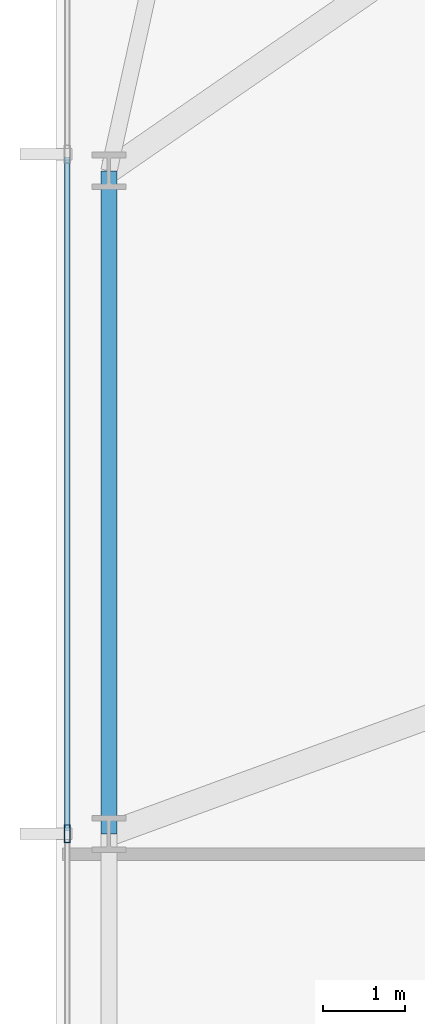
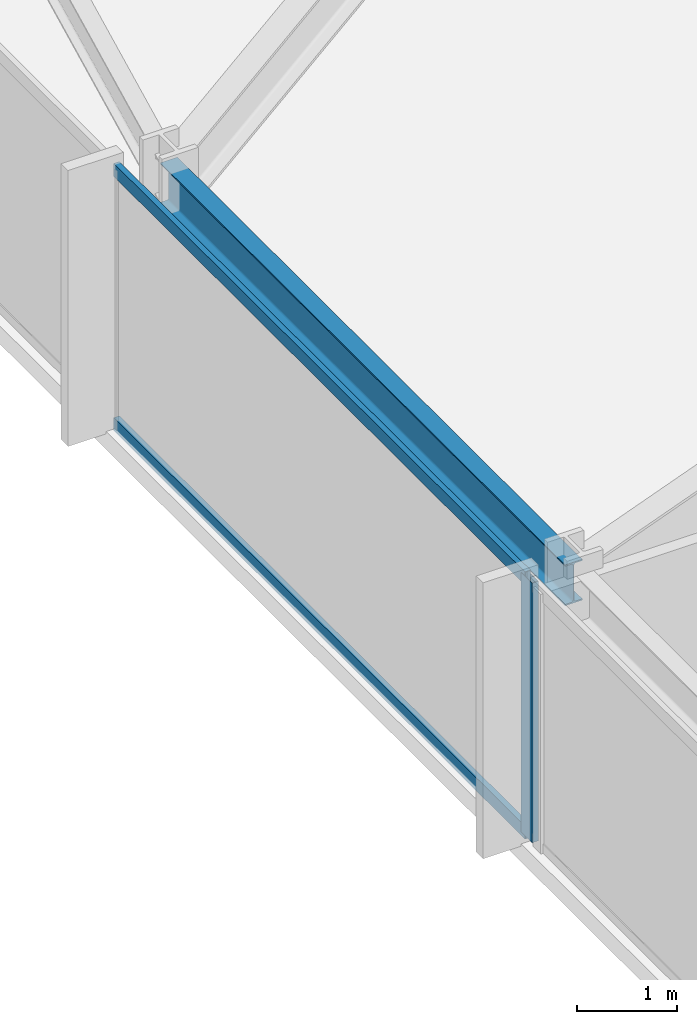
# One storey, part 7 of 33: 3 members, 1 beam, 1 element without a shape of its own.
"""IFC4 building model written with IfcOpenShell, lengths in metres."""

from ifc_helpers import new_model, si_unit, direction, frame, origin, origin_2d, place, context, subcontext, project, spatial, hollow_rectangle, i_section, extrude, material, material_profile, profile_set, type_object, element, aggregate, save


model = new_model("IFC4")

# Units and contexts
model_context = context("Model", 3, precision=1e-05, world=origin(), true_north=direction((0.0, 1.0)))
body_context = subcontext(model_context, "Body", "Model", "MODEL_VIEW")
ifc_project = project(units=[si_unit("LENGTHUNIT", "METRE"), si_unit("AREAUNIT", "SQUARE_METRE"), si_unit("VOLUMEUNIT", "CUBIC_METRE"), si_unit("PLANEANGLEUNIT", "RADIAN"), si_unit("MASSUNIT", "GRAM", prefix="KILO")], contexts=[model_context])

# Site, building, storey
site_placement = place(None, origin())
site = spatial("IfcSite", under=ifc_project, at=site_placement, CompositionType="ELEMENT")
building_placement = place(site_placement, origin())
building = spatial("IfcBuilding", under=site, at=building_placement, Name="Yelkora Congress Tower", CompositionType="ELEMENT")
storey_placement = place(building_placement, frame((0.0, 0.0, 64.39990234375)))
storey = spatial("IfcBuildingStorey", under=building, at=storey_placement, Name="L16", CompositionType="ELEMENT", Elevation=64.39990234375)

# Beam
ifc_material_1 = material(Name="Steel S355J2", Category="steel")
ifc_material_profile_1 = material_profile(ifc_material_1, i_section(OverallWidth=0.199951171875, OverallDepth=0.5, WebThickness=0.01025390625, FlangeThickness=0.01611328125, FilletRadius=0.02099609375, at=origin_2d()), Name="IPE 500")
ifc_profile_set_1 = profile_set([ifc_material_profile_1], Name="Steel S355J2")
beam_type = type_object("IfcBeamType", Name="BM-SPAN-IPE500", PredefinedType="SPANDREL", material=ifc_profile_set_1)
beam_placement = place(storey_placement, frame((6.64990234375, 37.52490234375, 2.93017578125), z_axis=(0.0, -1.0, 0.0), x_axis=(1.0, 0.0, 0.0)))
element("IfcBeam", 1, at=beam_placement, inside=storey, type_object=beam_type, Name="L16 Perimeter Beam 18", PredefinedType="SPANDREL", context=body_context, shape_type="SweptSolid", body=[
    extrude(i_section(OverallWidth=0.199951171875, OverallDepth=0.5, WebThickness=0.01025390625, FlangeThickness=0.01611328125, FilletRadius=0.02099609375, at=origin_2d()), origin(), (0.0, 0.0, 1.0), 8.125),
])

# Curtain wall, members
ifc_material_2 = material(Name="Anodised aluminium and insulated glass", Category="aluminium")
curtain_wall_type = type_object("IfcCurtainWallType", Name="CW-SYS-B1", PredefinedType="NOTDEFINED", material=ifc_material_2)
curtain_wall_placement = place(storey_placement, origin())
curtain_wall = element("IfcCurtainWall", 2, at=curtain_wall_placement, inside=storey, type_object=curtain_wall_type, Name="L16 Unitised Curtain Wall 5", PredefinedType="NOTDEFINED")
ifc_material_3 = material(Name="Anodised aluminium 6063-T6", Category="aluminium")
ifc_material_profile_2 = material_profile(ifc_material_3, hollow_rectangle(XDim=0.074951171875, YDim=0.219970703125, WallThickness=0.0048828125, at=origin_2d()), Name="ALU 75x220x5")
ifc_profile_set_2 = profile_set([ifc_material_profile_2], Name="Anodised aluminium 6063-T6")
member_type_1 = type_object("IfcMemberType", Name="MEM-ML-B1", PredefinedType="MULLION", material=ifc_profile_set_2)
member_1_placement = place(storey_placement, frame((6.139892578125, 29.39990234375, 0.0), z_axis=(0.0, 0.0, 1.0), x_axis=(-1.0, 0.0, 0.0)))
member_1 = element("IfcMember", 3, at=member_1_placement, type_object=member_type_1, Name="CW-B1 mullion 3", PredefinedType="MULLION", context=body_context, shape_type="SweptSolid", body=[
    extrude(hollow_rectangle(XDim=0.074951171875, YDim=0.219970703125, WallThickness=0.0048828125, at=origin_2d()), origin(), (0.0, 0.0, 1.0), 3.18017578125),
])
ifc_material_profile_3 = material_profile(ifc_material_3, hollow_rectangle(XDim=0.06494140625, YDim=0.159912109375, WallThickness=0.00390625, at=origin_2d()), Name="ALU 65x160x4")
ifc_profile_set_3 = profile_set([ifc_material_profile_3], Name="Anodised aluminium 6063-T6")
member_type_2 = type_object("IfcMemberType", Name="MEM-TR-B1", PredefinedType="USERDEFINED", material=ifc_profile_set_3)
member_2_placement = place(storey_placement, frame((6.139892578125, 29.4375, 0.03271484375), z_axis=(0.0, 1.0, 0.0), x_axis=(-1.0, 0.0, 0.0)))
member_2 = element("IfcMember", 4, at=member_2_placement, type_object=member_type_2, Name="CW-B1 transom 3.1", ObjectType="TRANSOM", PredefinedType="USERDEFINED", context=body_context, shape_type="SweptSolid", body=[
    extrude(hollow_rectangle(XDim=0.06494140625, YDim=0.159912109375, WallThickness=0.00390625, at=origin_2d()), origin(), (0.0, 0.0, 1.0), 8.2548828125),
])
member_3_placement = place(storey_placement, frame((6.139892578125, 29.4375, 3.147705078125), z_axis=(0.0, 1.0, 0.0), x_axis=(-1.0, 0.0, 0.0)))
member_3 = element("IfcMember", 5, at=member_3_placement, type_object=member_type_2, Name="CW-B1 transom 3.2", ObjectType="TRANSOM", PredefinedType="USERDEFINED", context=body_context, shape_type="SweptSolid", body=[
    extrude(hollow_rectangle(XDim=0.06494140625, YDim=0.159912109375, WallThickness=0.00390625, at=origin_2d()), origin(), (0.0, 0.0, 1.0), 8.2548828125),
])
aggregate(curtain_wall, [member_1, member_2, member_3])

save(model, "model.ifc")
